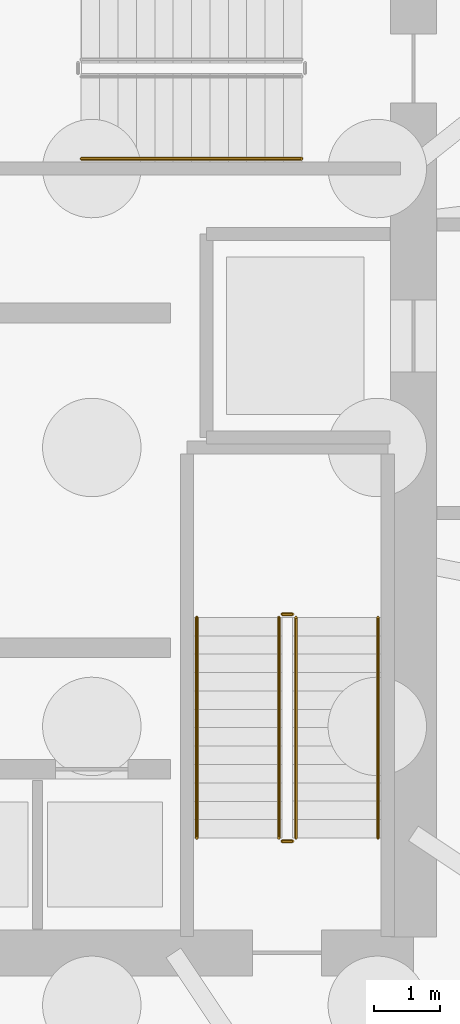
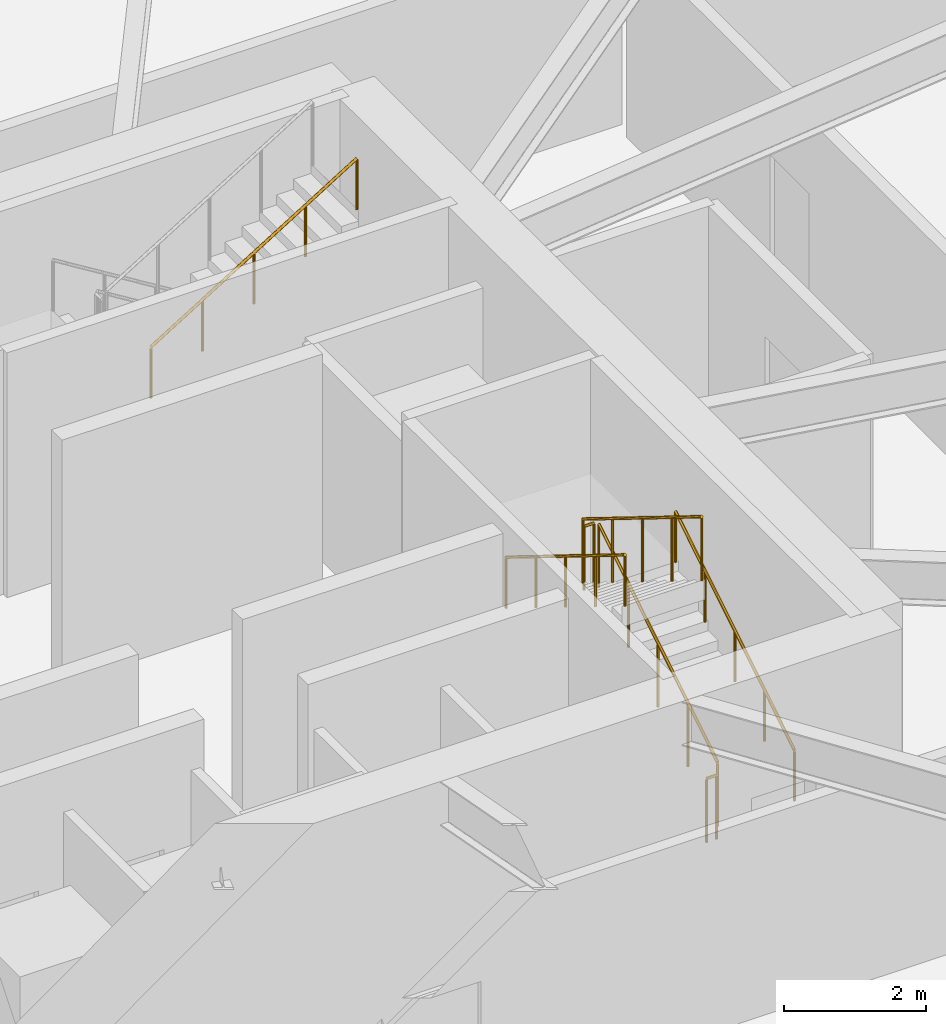
# One storey, part 7 of 10: 7 railings.
"""IFC4 building model written with IfcOpenShell, lengths in metres."""

from ifc_helpers import new_model, si_unit, direction, frame, origin, origin_2d, place, context, subcontext, project, spatial, circle, extrude, material, type_object, element, save


model = new_model("IFC4")

# Units and contexts
model_context = context("Model", 3, precision=1e-05, world=origin(), true_north=direction((0.0, 1.0)))
body_context = subcontext(model_context, "Body", "Model", "MODEL_VIEW")
ifc_project = project(units=[si_unit("LENGTHUNIT", "METRE"), si_unit("AREAUNIT", "SQUARE_METRE"), si_unit("VOLUMEUNIT", "CUBIC_METRE"), si_unit("PLANEANGLEUNIT", "RADIAN"), si_unit("MASSUNIT", "GRAM", prefix="KILO"), si_unit("THERMODYNAMICTEMPERATUREUNIT", "KELVIN")], contexts=[model_context])

# Site, building, storey
site_placement = place(None, origin())
site = spatial("IfcSite", under=ifc_project, at=site_placement, CompositionType="ELEMENT")
building_placement = place(site_placement, origin())
building = spatial("IfcBuilding", under=site, at=building_placement, Name="Kethvar Cultural Tower", CompositionType="ELEMENT")
storey_placement = place(building_placement, frame((0.0, 0.0, -9.0)))
storey = spatial("IfcBuildingStorey", under=building, at=storey_placement, Name="B02", CompositionType="ELEMENT", Elevation=-9.0)

# Railings
ifc_material = material(Name="Steel S355J2", Category="steel")
railing_type_1 = type_object("IfcRailingType", Name="RL-STAIR-GUARD", PredefinedType="BALUSTRADE", material=ifc_material)
railing_1_placement = place(storey_placement, frame((53.81005859375, 21.85009765625, 0.173095703125)))
element("IfcRailing", 1, at=railing_1_placement, inside=storey, type_object=railing_type_1, Name="B02 ST-02 stair guard 1", PredefinedType="BALUSTRADE", context=body_context, shape_type="SweptSolid", body=[
    extrude(circle(Radius=0.02392578125, at=origin_2d()), frame((0.0, 0.0, 1.09619140625), z_axis=(0.0, 0.850606129759, 0.525803396734), x_axis=(-1.0, 0.0, 0.0)), (0.0, 0.0, 1.0), 3.949951171875),
    extrude(circle(Radius=0.02099609375, at=origin_2d()), origin(), (0.0, 0.0, 1.0), 1.072021484375),
    extrude(circle(Radius=0.02099609375, at=origin_2d()), frame((0.0, 0.83984375, 0.519287109375)), (0.0, 0.0, 1.0), 1.072021484375),
    extrude(circle(Radius=0.02099609375, at=origin_2d()), frame((0.0, 1.679931640625, 1.03857421875)), (0.0, 0.0, 1.0), 1.072021484375),
    extrude(circle(Radius=0.02099609375, at=origin_2d()), frame((0.0, 2.52001953125, 1.5576171875)), (0.0, 0.0, 1.0), 1.072021484375),
    extrude(circle(Radius=0.02099609375, at=origin_2d()), frame((0.0, 3.35986328125, 2.076904296875)), (0.0, 0.0, 1.0), 1.072021484375),
])
railing_2_placement = place(storey_placement, frame((53.760009765625, 25.260009765625, 2.25)))
element("IfcRailing", 2, at=railing_2_placement, inside=storey, type_object=railing_type_1, Name="B02 ST-02 stair guard 2", PredefinedType="BALUSTRADE", context=body_context, shape_type="SweptSolid", body=[
    extrude(circle(Radius=0.02392578125, at=origin_2d()), frame((0.0, 0.0, 1.09619140625), z_axis=(-1.0, 0.0, 0.0), x_axis=(0.0, -1.0, 0.0)), (0.0, 0.0, 1.0), 0.159912109375),
    extrude(circle(Radius=0.02099609375, at=origin_2d()), origin(), (0.0, 0.0, 1.0), 1.072021484375),
    extrude(circle(Radius=0.02099609375, at=origin_2d()), frame((-0.159912109375, 0.0, 0.0)), (0.0, 0.0, 1.0), 1.072021484375),
])
railing_3_placement = place(storey_placement, frame((53.550048828125, 25.2099609375, 2.423095703125)))
element("IfcRailing", 3, at=railing_3_placement, inside=storey, type_object=railing_type_1, Name="B02 ST-02 stair guard 3", PredefinedType="BALUSTRADE", context=body_context, shape_type="SweptSolid", body=[
    extrude(circle(Radius=0.02392578125, at=origin_2d()), frame((0.0, 0.0, 1.09619140625), z_axis=(0.0, -0.850606129759, 0.525803396734), x_axis=(1.0, 0.0, 0.0)), (0.0, 0.0, 1.0), 3.949951171875),
    extrude(circle(Radius=0.02099609375, at=origin_2d()), origin(), (0.0, 0.0, 1.0), 1.072021484375),
    extrude(circle(Radius=0.02099609375, at=origin_2d()), frame((0.0, -0.83984375, 0.519287109375)), (0.0, 0.0, 1.0), 1.072021484375),
    extrude(circle(Radius=0.02099609375, at=origin_2d()), frame((0.0, -1.679931640625, 1.03857421875)), (0.0, 0.0, 1.0), 1.072021484375),
    extrude(circle(Radius=0.02099609375, at=origin_2d()), frame((0.0, -2.52001953125, 1.5576171875)), (0.0, 0.0, 1.0), 1.072021484375),
    extrude(circle(Radius=0.02099609375, at=origin_2d()), frame((0.0, -3.35986328125, 2.076904296875)), (0.0, 0.0, 1.0), 1.072021484375),
])
railing_4_placement = place(storey_placement, frame((53.760009765625, 21.800048828125, 0.0)))
element("IfcRailing", 4, at=railing_4_placement, inside=storey, type_object=railing_type_1, Name="B02 ST-02 stair guard 4", PredefinedType="BALUSTRADE", context=body_context, shape_type="SweptSolid", body=[
    extrude(circle(Radius=0.02392578125, at=origin_2d()), frame((0.0, 0.0, 1.09619140625), z_axis=(-1.0, 0.0, 0.0), x_axis=(0.0, -1.0, 0.0)), (0.0, 0.0, 1.0), 0.159912109375),
    extrude(circle(Radius=0.02099609375, at=origin_2d()), origin(), (0.0, 0.0, 1.0), 1.072021484375),
    extrude(circle(Radius=0.02099609375, at=origin_2d()), frame((-0.159912109375, 0.0, 0.0)), (0.0, 0.0, 1.0), 1.072021484375),
])
railing_type_2 = type_object("IfcRailingType", Name="RL-STAIR-HANDRAIL", PredefinedType="HANDRAIL", material=ifc_material)
railing_5_placement = place(storey_placement, frame((55.06005859375, 21.85009765625, 0.173095703125)))
element("IfcRailing", 5, at=railing_5_placement, inside=storey, type_object=railing_type_2, Name="B02 ST-02 stair handrail 1", PredefinedType="HANDRAIL", context=body_context, shape_type="SweptSolid", body=[
    extrude(circle(Radius=0.02392578125, at=origin_2d()), frame((0.0, 0.0, 0.8759765625), z_axis=(0.0, 0.850606129759, 0.525803396734), x_axis=(-1.0, 0.0, 0.0)), (0.0, 0.0, 1.0), 3.949951171875),
    extrude(circle(Radius=0.02099609375, at=origin_2d()), origin(), (0.0, 0.0, 1.0), 0.851806640625),
    extrude(circle(Radius=0.02099609375, at=origin_2d()), frame((0.0, 0.83984375, 0.519287109375)), (0.0, 0.0, 1.0), 0.851806640625),
    extrude(circle(Radius=0.02099609375, at=origin_2d()), frame((0.0, 1.679931640625, 1.03857421875)), (0.0, 0.0, 1.0), 0.851806640625),
    extrude(circle(Radius=0.02099609375, at=origin_2d()), frame((0.0, 2.52001953125, 1.5576171875)), (0.0, 0.0, 1.0), 0.851806640625),
    extrude(circle(Radius=0.02099609375, at=origin_2d()), frame((0.0, 3.35986328125, 2.076904296875)), (0.0, 0.0, 1.0), 0.851806640625),
])
railing_6_placement = place(storey_placement, frame((52.300048828125, 25.2099609375, 2.423095703125)))
element("IfcRailing", 6, at=railing_6_placement, inside=storey, type_object=railing_type_2, Name="B02 ST-02 stair handrail 2", PredefinedType="HANDRAIL", context=body_context, shape_type="SweptSolid", body=[
    extrude(circle(Radius=0.02392578125, at=origin_2d()), frame((0.0, 0.0, 0.8759765625), z_axis=(0.0, -0.850606129759, 0.525803396734), x_axis=(1.0, 0.0, 0.0)), (0.0, 0.0, 1.0), 3.949951171875),
    extrude(circle(Radius=0.02099609375, at=origin_2d()), origin(), (0.0, 0.0, 1.0), 0.851806640625),
    extrude(circle(Radius=0.02099609375, at=origin_2d()), frame((0.0, -0.83984375, 0.519287109375)), (0.0, 0.0, 1.0), 0.851806640625),
    extrude(circle(Radius=0.02099609375, at=origin_2d()), frame((0.0, -1.679931640625, 1.03857421875)), (0.0, 0.0, 1.0), 0.851806640625),
    extrude(circle(Radius=0.02099609375, at=origin_2d()), frame((0.0, -2.52001953125, 1.5576171875)), (0.0, 0.0, 1.0), 0.851806640625),
    extrude(circle(Radius=0.02099609375, at=origin_2d()), frame((0.0, -3.35986328125, 2.076904296875)), (0.0, 0.0, 1.0), 0.851806640625),
])
railing_7_placement = place(storey_placement, frame((50.5400390625, 32.199951171875, 2.423095703125)))
element("IfcRailing", 7, at=railing_7_placement, inside=storey, type_object=railing_type_2, Name="B02 ST-03 stair handrail 2", PredefinedType="HANDRAIL", context=body_context, shape_type="SweptSolid", body=[
    extrude(circle(Radius=0.02392578125, at=origin_2d()), frame((0.0, 0.0, 0.8759765625), z_axis=(0.850606129759, 0.0, 0.525803396734), x_axis=(0.0, 1.0, 0.0)), (0.0, 0.0, 1.0), 3.949951171875),
    extrude(circle(Radius=0.02099609375, at=origin_2d()), origin(), (0.0, 0.0, 1.0), 0.851806640625),
    extrude(circle(Radius=0.02099609375, at=origin_2d()), frame((0.83984375, 0.0, 0.519287109375)), (0.0, 0.0, 1.0), 0.851806640625),
    extrude(circle(Radius=0.02099609375, at=origin_2d()), frame((1.679931640625, 0.0, 1.03857421875)), (0.0, 0.0, 1.0), 0.851806640625),
    extrude(circle(Radius=0.02099609375, at=origin_2d()), frame((2.52001953125, 0.0, 1.5576171875)), (0.0, 0.0, 1.0), 0.851806640625),
    extrude(circle(Radius=0.02099609375, at=origin_2d()), frame((3.35986328125, 0.0, 2.076904296875)), (0.0, 0.0, 1.0), 0.851806640625),
])

save(model, "model.ifc")
